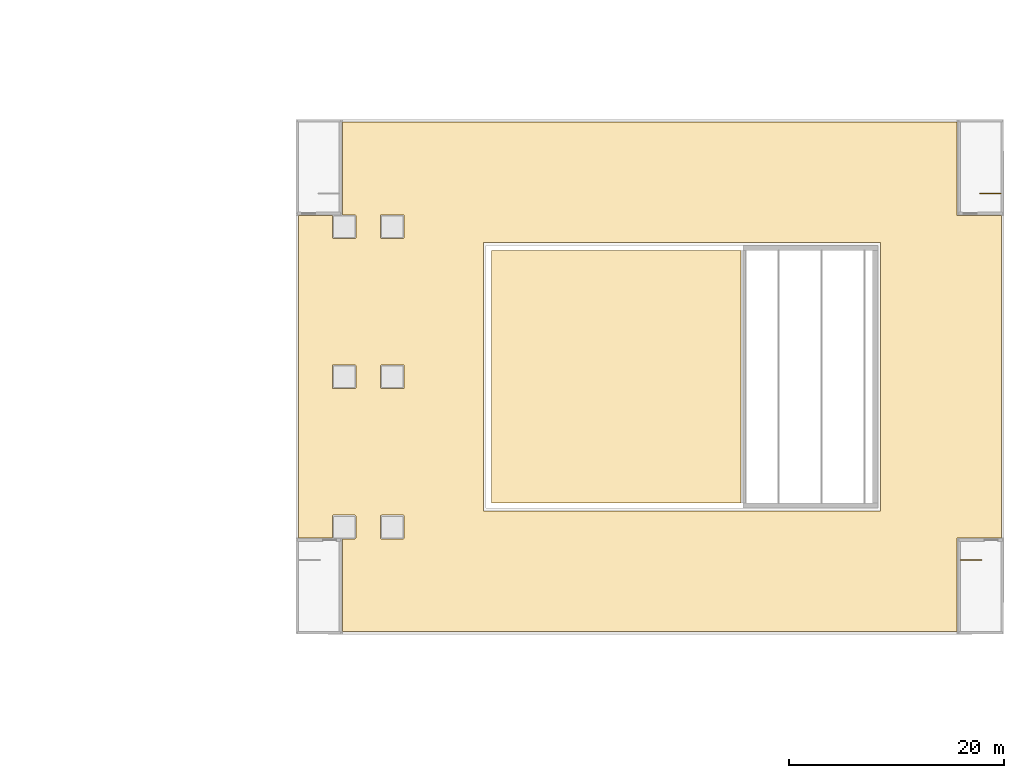
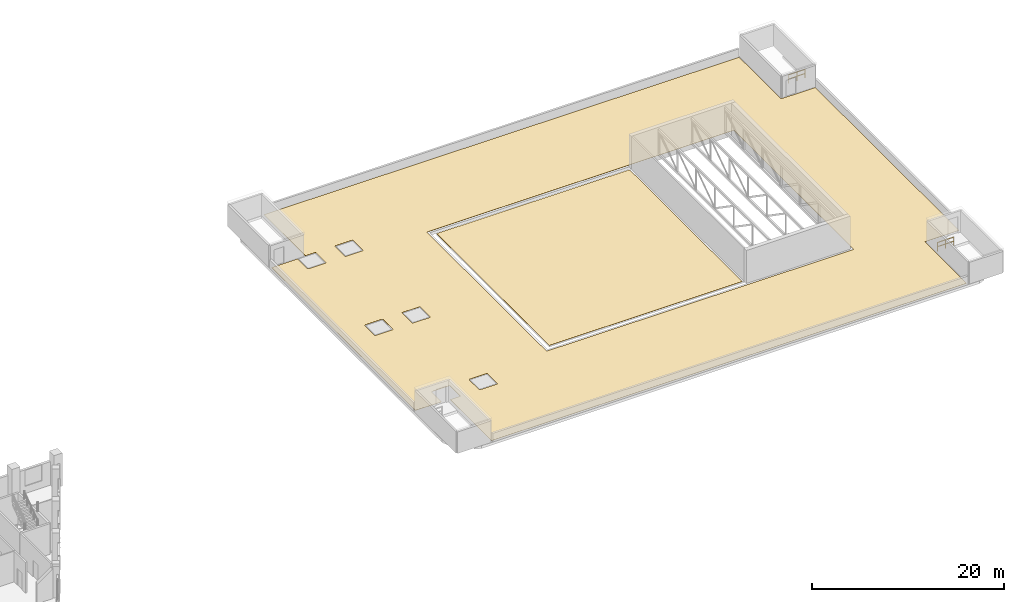
# One storey, part 33 of 33: 2 coverings, 2 railings.
"""IFC4 building model written with IfcOpenShell, lengths in metres."""

from ifc_helpers import new_model, si_unit, direction, frame, origin, origin_2d, place, context, subcontext, project, spatial, polyline, circle, outline, extrude, material, layer, layer_set, type_object, element, save


model = new_model("IFC4")

# Units and contexts
model_context = context("Model", 3, precision=1e-05, world=origin(), true_north=direction((0.0, 1.0)))
body_context = subcontext(model_context, "Body", "Model", "MODEL_VIEW")
ifc_project = project(units=[si_unit("LENGTHUNIT", "METRE"), si_unit("AREAUNIT", "SQUARE_METRE"), si_unit("VOLUMEUNIT", "CUBIC_METRE"), si_unit("PLANEANGLEUNIT", "RADIAN"), si_unit("MASSUNIT", "GRAM", prefix="KILO")], contexts=[model_context])

# Site, building, storey
site_placement = place(None, origin())
site = spatial("IfcSite", under=ifc_project, at=site_placement, CompositionType="ELEMENT")
building_placement = place(site_placement, origin())
building = spatial("IfcBuilding", under=site, at=building_placement, Name="Nakaniwa Court", CompositionType="ELEMENT")
storey_placement = place(building_placement, frame((0.0, 0.0, 19.800048828125)))
storey = spatial("IfcBuildingStorey", under=building, at=storey_placement, Name="L04", CompositionType="ELEMENT", Elevation=19.800048828125)

# Railings
ifc_material_1 = material(Name="Black powder-coated steel flat bar balustrade S275", Category="steel")
railing_type = type_object("IfcRailingType", Name="Hall guard 1100", PredefinedType="GUARDRAIL", material=ifc_material_1)
railing_1_placement = place(storey_placement, frame((213.949951171875, 62.909912109375, 0.0)))
element("IfcRailing", 1, at=railing_1_placement, inside=storey, type_object=railing_type, Name="L04 ST-H3 top well guard 1", PredefinedType="GUARDRAIL", context=body_context, shape_type="SweptSolid", body=[
    extrude(circle(Radius=0.02392578125, at=origin_2d()), frame((0.0, 0.0, 1.076171875), z_axis=(1.0, 0.0, 0.0), x_axis=(0.0, 1.0, 0.0)), (0.0, 0.0, 1.0), 1.949951171875),
    extrude(circle(Radius=0.02392578125, at=origin_2d()), frame((0.0, 0.0, 0.550048828125), z_axis=(1.0, 0.0, 0.0), x_axis=(0.0, 1.0, 0.0)), (0.0, 0.0, 1.0), 1.949951171875),
    extrude(circle(Radius=0.02099609375, at=origin_2d()), origin(), (0.0, 0.0, 1.0), 1.052001953125),
    extrude(circle(Radius=0.02099609375, at=origin_2d()), frame((0.97509765625, 0.0, 0.0)), (0.0, 0.0, 1.0), 1.052001953125),
    extrude(circle(Radius=0.02099609375, at=origin_2d()), frame((1.949951171875, 0.0, 0.0)), (0.0, 0.0, 1.0), 1.052001953125),
])
railing_2_placement = place(storey_placement, frame((217.699951171875, 97.090087890625, 0.0)))
element("IfcRailing", 2, at=railing_2_placement, inside=storey, type_object=railing_type, Name="L04 ST-H4 top well guard 1", PredefinedType="GUARDRAIL", context=body_context, shape_type="SweptSolid", body=[
    extrude(circle(Radius=0.02392578125, at=origin_2d()), frame((0.0, 0.0, 1.076171875), z_axis=(-1.0, 0.0, 0.0), x_axis=(0.0, -1.0, 0.0)), (0.0, 0.0, 1.0), 1.949951171875),
    extrude(circle(Radius=0.02392578125, at=origin_2d()), frame((0.0, 0.0, 0.550048828125), z_axis=(-1.0, 0.0, 0.0), x_axis=(0.0, -1.0, 0.0)), (0.0, 0.0, 1.0), 1.949951171875),
    extrude(circle(Radius=0.02099609375, at=origin_2d()), origin(), (0.0, 0.0, 1.0), 1.052001953125),
    extrude(circle(Radius=0.02099609375, at=origin_2d()), frame((-0.97509765625, 0.0, 0.0)), (0.0, 0.0, 1.0), 1.052001953125),
    extrude(circle(Radius=0.02099609375, at=origin_2d()), frame((-1.949951171875, 0.0, 0.0)), (0.0, 0.0, 1.0), 1.052001953125),
])

# Coverings
ifc_material_2 = material(Name="Single-ply roofing membrane on insulation")
ifc_layer = layer(ifc_material_2, 0.02001953125)
ifc_layer_set = layer_set([ifc_layer], Name="Single-ply roofing membrane on insulation")
covering_type = type_object("IfcCoveringType", Name="Hall roof membrane 20", PredefinedType="ROOFING", material=ifc_layer_set)
covering_1_placement = place(storey_placement, origin())
element("IfcCovering", 3, at=covering_1_placement, inside=storey, type_object=covering_type, Name="Hall roof membrane", PredefinedType="ROOFING", context=body_context, shape_type="SweptSolid", body=[
    extrude(outline(polyline([(156.375, 56.25), (213.625, 56.25), (213.625, 64.985107421875), (217.75, 64.985107421875), (217.75, 95.014892578125), (213.625, 95.014892578125), (213.625, 103.75), (156.375, 103.75), (156.375, 95.10009765625), (157.5, 95.10009765625), (157.509765625, 95.099609375), (157.51953125, 95.09814453125), (157.529052734375, 95.095703125), (157.538330078125, 95.09228515625), (157.547119140625, 95.088134765625), (157.5556640625, 95.0830078125), (157.5634765625, 95.077392578125), (157.57080078125, 95.07080078125), (157.577392578125, 95.0634765625), (157.5830078125, 95.0556640625), (157.588134765625, 95.047119140625), (157.59228515625, 95.038330078125), (157.595703125, 95.029052734375), (157.59814453125, 95.01953125), (157.599609375, 95.009765625), (157.60009765625, 95.0), (157.60009765625, 93.0), (157.599609375, 92.990234375), (157.59814453125, 92.98046875), (157.595703125, 92.970947265625), (157.59228515625, 92.961669921875), (157.588134765625, 92.952880859375), (157.5830078125, 92.9443359375), (157.577392578125, 92.9365234375), (157.57080078125, 92.92919921875), (157.5634765625, 92.922607421875), (157.5556640625, 92.9169921875), (157.547119140625, 92.911865234375), (157.538330078125, 92.90771484375), (157.529052734375, 92.904296875), (157.51953125, 92.90185546875), (157.509765625, 92.900390625), (157.5, 92.89990234375), (155.5, 92.89990234375), (155.490234375, 92.900390625), (155.48046875, 92.90185546875), (155.470947265625, 92.904296875), (155.461669921875, 92.90771484375), (155.452880859375, 92.911865234375), (155.4443359375, 92.9169921875), (155.4365234375, 92.922607421875), (155.42919921875, 92.92919921875), (155.422607421875, 92.9365234375), (155.4169921875, 92.9443359375), (155.411865234375, 92.952880859375), (155.40771484375, 92.961669921875), (155.404296875, 92.970947265625), (155.40185546875, 92.98046875), (155.400390625, 92.990234375), (155.39990234375, 93.0), (155.39990234375, 95.0), (155.400390625, 95.009765625), (155.4013671875, 95.014892578125), (152.25, 95.014892578125), (152.25, 64.985107421875), (155.4013671875, 64.985107421875), (155.400390625, 64.990234375), (155.39990234375, 65.0), (155.39990234375, 67.0), (155.400390625, 67.009765625), (155.40185546875, 67.01953125), (155.404296875, 67.029052734375), (155.40771484375, 67.038330078125), (155.411865234375, 67.047119140625), (155.4169921875, 67.0556640625), (155.422607421875, 67.0634765625), (155.42919921875, 67.07080078125), (155.4365234375, 67.077392578125), (155.4443359375, 67.0830078125), (155.452880859375, 67.088134765625), (155.461669921875, 67.09228515625), (155.470947265625, 67.095703125), (155.48046875, 67.09814453125), (155.490234375, 67.099609375), (155.5, 67.10009765625), (157.5, 67.10009765625), (157.509765625, 67.099609375), (157.51953125, 67.09814453125), (157.529052734375, 67.095703125), (157.538330078125, 67.09228515625), (157.547119140625, 67.088134765625), (157.5556640625, 67.0830078125), (157.5634765625, 67.077392578125), (157.57080078125, 67.07080078125), (157.577392578125, 67.0634765625), (157.5830078125, 67.0556640625), (157.588134765625, 67.047119140625), (157.59228515625, 67.038330078125), (157.595703125, 67.029052734375), (157.59814453125, 67.01953125), (157.599609375, 67.009765625), (157.60009765625, 67.0), (157.60009765625, 65.0), (157.599609375, 64.990234375), (157.59814453125, 64.98046875), (157.595703125, 64.970947265625), (157.59228515625, 64.961669921875), (157.588134765625, 64.952880859375), (157.5830078125, 64.9443359375), (157.577392578125, 64.9365234375), (157.57080078125, 64.92919921875), (157.5634765625, 64.922607421875), (157.5556640625, 64.9169921875), (157.547119140625, 64.911865234375), (157.538330078125, 64.90771484375), (157.529052734375, 64.904296875), (157.51953125, 64.90185546875), (157.509765625, 64.900390625), (157.5, 64.89990234375), (156.375, 64.89990234375), (156.375, 56.25)]), holes=[polyline([(169.5, 92.5), (206.5, 92.5), (206.5, 67.5), (169.5, 67.5), (169.5, 92.5)]), polyline([(157.57080078125, 78.92919921875), (157.5634765625, 78.922607421875), (157.5556640625, 78.9169921875), (157.547119140625, 78.911865234375), (157.538330078125, 78.90771484375), (157.529052734375, 78.904296875), (157.51953125, 78.90185546875), (157.509765625, 78.900390625), (157.5, 78.89990234375), (155.5, 78.89990234375), (155.490234375, 78.900390625), (155.48046875, 78.90185546875), (155.470947265625, 78.904296875), (155.461669921875, 78.90771484375), (155.452880859375, 78.911865234375), (155.4443359375, 78.9169921875), (155.4365234375, 78.922607421875), (155.42919921875, 78.92919921875), (155.422607421875, 78.9365234375), (155.4169921875, 78.9443359375), (155.411865234375, 78.952880859375), (155.40771484375, 78.961669921875), (155.404296875, 78.970947265625), (155.40185546875, 78.98046875), (155.400390625, 78.990234375), (155.39990234375, 79.0), (155.39990234375, 81.0), (155.400390625, 81.009765625), (155.40185546875, 81.01953125), (155.404296875, 81.029052734375), (155.40771484375, 81.038330078125), (155.411865234375, 81.047119140625), (155.4169921875, 81.0556640625), (155.422607421875, 81.0634765625), (155.42919921875, 81.07080078125), (155.4365234375, 81.077392578125), (155.4443359375, 81.0830078125), (155.452880859375, 81.088134765625), (155.461669921875, 81.09228515625), (155.470947265625, 81.095703125), (155.48046875, 81.09814453125), (155.490234375, 81.099609375), (155.5, 81.10009765625), (157.5, 81.10009765625), (157.509765625, 81.099609375), (157.51953125, 81.09814453125), (157.529052734375, 81.095703125), (157.538330078125, 81.09228515625), (157.547119140625, 81.088134765625), (157.5556640625, 81.0830078125), (157.5634765625, 81.077392578125), (157.57080078125, 81.07080078125), (157.577392578125, 81.0634765625), (157.5830078125, 81.0556640625), (157.588134765625, 81.047119140625), (157.59228515625, 81.038330078125), (157.595703125, 81.029052734375), (157.59814453125, 81.01953125), (157.599609375, 81.009765625), (157.60009765625, 81.0), (157.60009765625, 79.0), (157.599609375, 78.990234375), (157.59814453125, 78.98046875), (157.595703125, 78.970947265625), (157.59228515625, 78.961669921875), (157.588134765625, 78.952880859375), (157.5830078125, 78.9443359375), (157.577392578125, 78.9365234375), (157.57080078125, 78.92919921875)]), polyline([(162.0556640625, 64.9169921875), (162.047119140625, 64.911865234375), (162.038330078125, 64.90771484375), (162.029052734375, 64.904296875), (162.01953125, 64.90185546875), (162.009765625, 64.900390625), (162.0, 64.89990234375), (160.0, 64.89990234375), (159.990234375, 64.900390625), (159.98046875, 64.90185546875), (159.970947265625, 64.904296875), (159.961669921875, 64.90771484375), (159.952880859375, 64.911865234375), (159.9443359375, 64.9169921875), (159.9365234375, 64.922607421875), (159.92919921875, 64.92919921875), (159.922607421875, 64.9365234375), (159.9169921875, 64.9443359375), (159.911865234375, 64.952880859375), (159.90771484375, 64.961669921875), (159.904296875, 64.970947265625), (159.90185546875, 64.98046875), (159.900390625, 64.990234375), (159.89990234375, 65.0), (159.89990234375, 67.0), (159.900390625, 67.009765625), (159.90185546875, 67.01953125), (159.904296875, 67.029052734375), (159.90771484375, 67.038330078125), (159.911865234375, 67.047119140625), (159.9169921875, 67.0556640625), (159.922607421875, 67.0634765625), (159.92919921875, 67.07080078125), (159.9365234375, 67.077392578125), (159.9443359375, 67.0830078125), (159.952880859375, 67.088134765625), (159.961669921875, 67.09228515625), (159.970947265625, 67.095703125), (159.98046875, 67.09814453125), (159.990234375, 67.099609375), (160.0, 67.10009765625), (162.0, 67.10009765625), (162.009765625, 67.099609375), (162.01953125, 67.09814453125), (162.029052734375, 67.095703125), (162.038330078125, 67.09228515625), (162.047119140625, 67.088134765625), (162.0556640625, 67.0830078125), (162.0634765625, 67.077392578125), (162.07080078125, 67.07080078125), (162.077392578125, 67.0634765625), (162.0830078125, 67.0556640625), (162.088134765625, 67.047119140625), (162.09228515625, 67.038330078125), (162.095703125, 67.029052734375), (162.09814453125, 67.01953125), (162.099609375, 67.009765625), (162.10009765625, 67.0), (162.10009765625, 65.0), (162.099609375, 64.990234375), (162.09814453125, 64.98046875), (162.095703125, 64.970947265625), (162.09228515625, 64.961669921875), (162.088134765625, 64.952880859375), (162.0830078125, 64.9443359375), (162.077392578125, 64.9365234375), (162.07080078125, 64.92919921875), (162.0634765625, 64.922607421875), (162.0556640625, 64.9169921875)]), polyline([(162.047119140625, 78.911865234375), (162.038330078125, 78.90771484375), (162.029052734375, 78.904296875), (162.01953125, 78.90185546875), (162.009765625, 78.900390625), (162.0, 78.89990234375), (160.0, 78.89990234375), (159.990234375, 78.900390625), (159.98046875, 78.90185546875), (159.970947265625, 78.904296875), (159.961669921875, 78.90771484375), (159.952880859375, 78.911865234375), (159.9443359375, 78.9169921875), (159.9365234375, 78.922607421875), (159.92919921875, 78.92919921875), (159.922607421875, 78.9365234375), (159.9169921875, 78.9443359375), (159.911865234375, 78.952880859375), (159.90771484375, 78.961669921875), (159.904296875, 78.970947265625), (159.90185546875, 78.98046875), (159.900390625, 78.990234375), (159.89990234375, 79.0), (159.89990234375, 81.0), (159.900390625, 81.009765625), (159.90185546875, 81.01953125), (159.904296875, 81.029052734375), (159.90771484375, 81.038330078125), (159.911865234375, 81.047119140625), (159.9169921875, 81.0556640625), (159.922607421875, 81.0634765625), (159.92919921875, 81.07080078125), (159.9365234375, 81.077392578125), (159.9443359375, 81.0830078125), (159.952880859375, 81.088134765625), (159.961669921875, 81.09228515625), (159.970947265625, 81.095703125), (159.98046875, 81.09814453125), (159.990234375, 81.099609375), (160.0, 81.10009765625), (162.0, 81.10009765625), (162.009765625, 81.099609375), (162.01953125, 81.09814453125), (162.029052734375, 81.095703125), (162.038330078125, 81.09228515625), (162.047119140625, 81.088134765625), (162.0556640625, 81.0830078125), (162.0634765625, 81.077392578125), (162.07080078125, 81.07080078125), (162.077392578125, 81.0634765625), (162.0830078125, 81.0556640625), (162.088134765625, 81.047119140625), (162.09228515625, 81.038330078125), (162.095703125, 81.029052734375), (162.09814453125, 81.01953125), (162.099609375, 81.009765625), (162.10009765625, 81.0), (162.10009765625, 79.0), (162.099609375, 78.990234375), (162.09814453125, 78.98046875), (162.095703125, 78.970947265625), (162.09228515625, 78.961669921875), (162.088134765625, 78.952880859375), (162.0830078125, 78.9443359375), (162.077392578125, 78.9365234375), (162.07080078125, 78.92919921875), (162.0634765625, 78.922607421875), (162.0556640625, 78.9169921875), (162.047119140625, 78.911865234375)]), polyline([(162.038330078125, 92.90771484375), (162.029052734375, 92.904296875), (162.01953125, 92.90185546875), (162.009765625, 92.900390625), (162.0, 92.89990234375), (160.0, 92.89990234375), (159.990234375, 92.900390625), (159.98046875, 92.90185546875), (159.970947265625, 92.904296875), (159.961669921875, 92.90771484375), (159.952880859375, 92.911865234375), (159.9443359375, 92.9169921875), (159.9365234375, 92.922607421875), (159.92919921875, 92.92919921875), (159.922607421875, 92.9365234375), (159.9169921875, 92.9443359375), (159.911865234375, 92.952880859375), (159.90771484375, 92.961669921875), (159.904296875, 92.970947265625), (159.90185546875, 92.98046875), (159.900390625, 92.990234375), (159.89990234375, 93.0), (159.89990234375, 95.0), (159.900390625, 95.009765625), (159.90185546875, 95.01953125), (159.904296875, 95.029052734375), (159.90771484375, 95.038330078125), (159.911865234375, 95.047119140625), (159.9169921875, 95.0556640625), (159.922607421875, 95.0634765625), (159.92919921875, 95.07080078125), (159.9365234375, 95.077392578125), (159.9443359375, 95.0830078125), (159.952880859375, 95.088134765625), (159.961669921875, 95.09228515625), (159.970947265625, 95.095703125), (159.98046875, 95.09814453125), (159.990234375, 95.099609375), (160.0, 95.10009765625), (162.0, 95.10009765625), (162.009765625, 95.099609375), (162.01953125, 95.09814453125), (162.029052734375, 95.095703125), (162.038330078125, 95.09228515625), (162.047119140625, 95.088134765625), (162.0556640625, 95.0830078125), (162.0634765625, 95.077392578125), (162.07080078125, 95.07080078125), (162.077392578125, 95.0634765625), (162.0830078125, 95.0556640625), (162.088134765625, 95.047119140625), (162.09228515625, 95.038330078125), (162.095703125, 95.029052734375), (162.09814453125, 95.01953125), (162.099609375, 95.009765625), (162.10009765625, 95.0), (162.10009765625, 93.0), (162.099609375, 92.990234375), (162.09814453125, 92.98046875), (162.095703125, 92.970947265625), (162.09228515625, 92.961669921875), (162.088134765625, 92.952880859375), (162.0830078125, 92.9443359375), (162.077392578125, 92.9365234375), (162.07080078125, 92.92919921875), (162.0634765625, 92.922607421875), (162.0556640625, 92.9169921875), (162.047119140625, 92.911865234375), (162.038330078125, 92.90771484375)])]), origin(), (0.0, 0.0, 1.0), 0.02001953125),
])
covering_2_placement = place(storey_placement, origin())
element("IfcCovering", 4, at=covering_2_placement, inside=storey, type_object=covering_type, Name="Auditorium roof membrane", PredefinedType="ROOFING", context=body_context, shape_type="SweptSolid", body=[
    extrude(outline(polyline([(193.5, 68.25), (193.5, 91.75), (170.25, 91.75), (170.25, 68.25), (193.5, 68.25)])), origin(), (0.0, 0.0, 1.0), 0.02001953125),
])

save(model, "model.ifc")
